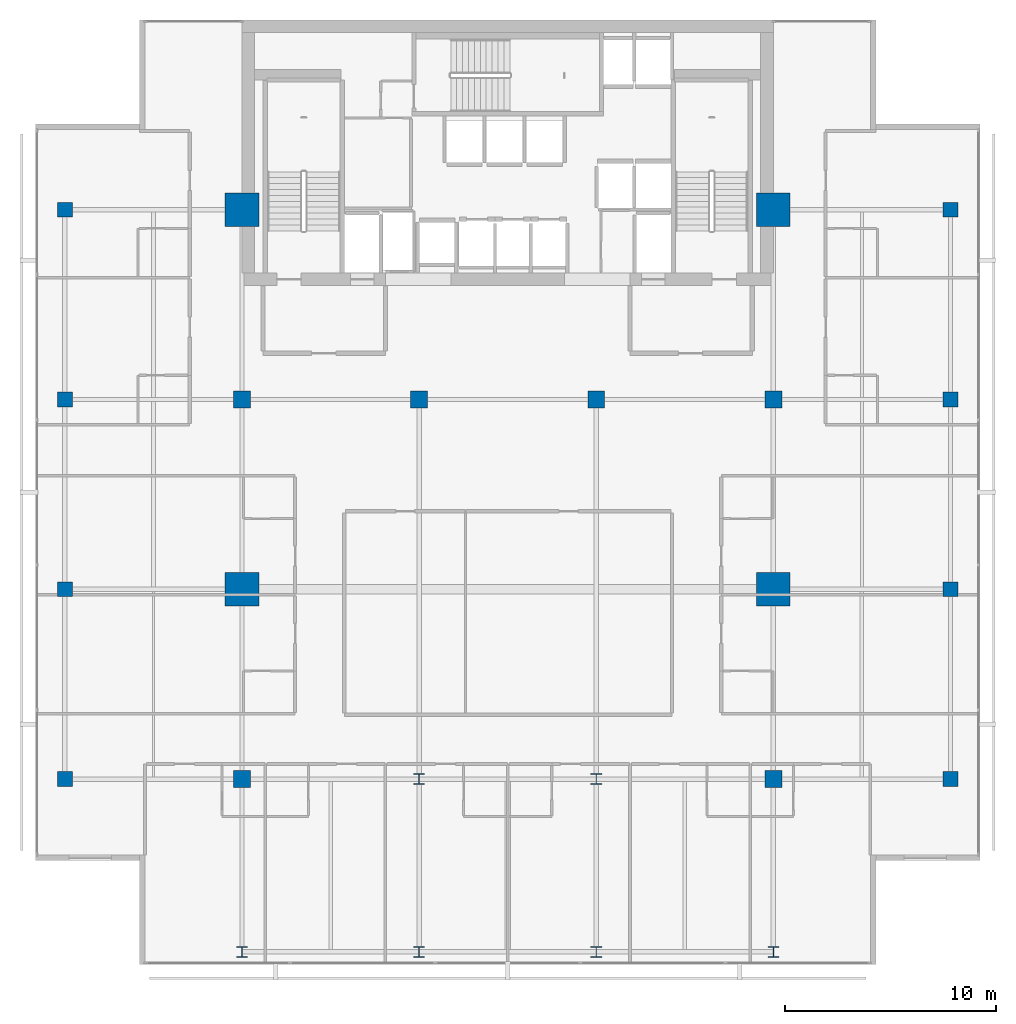
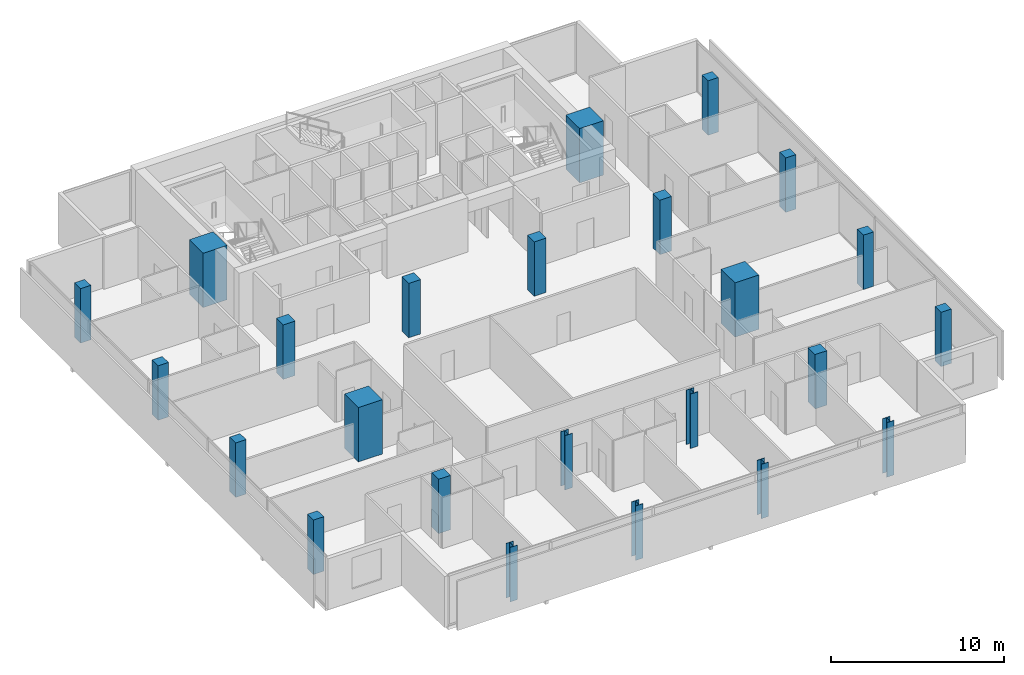
# One storey, part 1 of 25: 24 columns.
"""IFC4 building model written with IfcOpenShell, lengths in metres."""

from ifc_helpers import new_model, si_unit, direction, frame, origin, origin_2d, place, context, subcontext, project, spatial, rectangle, i_section, extrude, material, material_profile, profile_set, type_object, element, save


model = new_model("IFC4")

# Units and contexts
model_context = context("Model", 3, precision=1e-05, world=origin(), true_north=direction((0.0, 1.0)))
body_context = subcontext(model_context, "Body", "Model", "MODEL_VIEW")
ifc_project = project(units=[si_unit("LENGTHUNIT", "METRE"), si_unit("AREAUNIT", "SQUARE_METRE"), si_unit("VOLUMEUNIT", "CUBIC_METRE"), si_unit("PLANEANGLEUNIT", "RADIAN"), si_unit("MASSUNIT", "GRAM", prefix="KILO")], contexts=[model_context])

# Site, building, storey
site_placement = place(None, origin())
site = spatial("IfcSite", under=ifc_project, at=site_placement, CompositionType="ELEMENT")
building_placement = place(site_placement, origin())
building = spatial("IfcBuilding", under=site, at=building_placement, Name="Maruvema Waterfront Hotel and Observation Tower", CompositionType="ELEMENT")
storey_placement = place(building_placement, frame((0.0, 0.0, 239.39990234375)))
storey = spatial("IfcBuildingStorey", under=building, at=storey_placement, Name="L58", CompositionType="ELEMENT", Elevation=239.39990234375)

# Columns
ifc_material_1 = material(Name="Concrete C70/85", Category="concrete")
ifc_material_profile_1 = material_profile(ifc_material_1, rectangle(XDim=1.60009765625, YDim=1.60009765625, at=origin_2d()), Name="MC1600x1600")
ifc_profile_set_1 = profile_set([ifc_material_profile_1], Name="Concrete C70/85")
column_type_1 = type_object("IfcColumnType", Name="Continuous Mega-Column MC1600x1600", PredefinedType="COLUMN", material=ifc_profile_set_1)
for number, where, z_axis, x_axis, name in (
    (1, (25.199951171875, 27.0, 0.0), (0.0, 0.0, 1.0), (1.0, 0.0, 0.0), "L58 Continuous Mega-Column MC-01"),
    (2, (50.39990234375, 27.0, 0.0), (0.0, 0.0, 1.0), (1.0, 0.0, 0.0), "L58 Continuous Mega-Column MC-02"),
    (3, (25.199951171875, 45.0, 0.0), (0.0, 0.0, 1.0), (1.0, 0.0, 0.0), "L58 Continuous Mega-Column MC-03"),
    (4, (50.39990234375, 45.0, 0.0), (0.0, 0.0, 1.0), (1.0, 0.0, 0.0), "L58 Continuous Mega-Column MC-04"),
):
    element("IfcColumn", number, at=place(storey_placement, frame(where, z_axis=z_axis, x_axis=x_axis)), inside=storey, type_object=column_type_1, Name=name, PredefinedType="COLUMN", context=body_context, shape_type="SweptSolid", body=[
        extrude(rectangle(XDim=1.60009765625, YDim=1.60009765625, at=origin_2d()), origin(), (0.0, 0.0, 1.0), 3.85009765625),
    ])
ifc_material_2 = material(Name="Concrete C60/75", Category="concrete")
ifc_material_profile_2 = material_profile(ifc_material_2, rectangle(XDim=0.699951171875, YDim=0.699951171875, at=origin_2d()), Name="RC700x700")
ifc_profile_set_2 = profile_set([ifc_material_profile_2], Name="Concrete C60/75")
column_type_2 = type_object("IfcColumnType", Name="Reinforced Concrete Column RC700x700", PredefinedType="COLUMN", material=ifc_profile_set_2)
for number, where, z_axis, x_axis, name in (
    (5, (16.800048828125, 18.0, 0.0), (0.0, 0.0, 1.0), (1.0, 0.0, 0.0), "L58 Column C-3Y18"),
    (6, (58.800048828125, 18.0, 0.0), (0.0, 0.0, 1.0), (1.0, 0.0, 0.0), "L58 Column C-8Y18"),
    (7, (16.800048828125, 27.0, 0.0), (0.0, 0.0, 1.0), (1.0, 0.0, 0.0), "L58 Column C-3Y27"),
    (8, (58.800048828125, 27.0, 0.0), (0.0, 0.0, 1.0), (1.0, 0.0, 0.0), "L58 Column C-8Y27"),
    (9, (16.800048828125, 36.0, 0.0), (0.0, 0.0, 1.0), (1.0, 0.0, 0.0), "L58 Column C-3Y36"),
    (10, (58.800048828125, 36.0, 0.0), (0.0, 0.0, 1.0), (1.0, 0.0, 0.0), "L58 Column C-8Y36"),
    (11, (16.800048828125, 45.0, 0.0), (0.0, 0.0, 1.0), (1.0, 0.0, 0.0), "L58 Column C-3Y45"),
    (12, (58.800048828125, 45.0, 0.0), (0.0, 0.0, 1.0), (1.0, 0.0, 0.0), "L58 Column C-8Y45"),
):
    element("IfcColumn", number, at=place(storey_placement, frame(where, z_axis=z_axis, x_axis=x_axis)), inside=storey, type_object=column_type_2, Name=name, PredefinedType="COLUMN", context=body_context, shape_type="SweptSolid", body=[
        extrude(rectangle(XDim=0.699951171875, YDim=0.699951171875, at=origin_2d()), origin(), (0.0, 0.0, 1.0), 3.85009765625),
    ])
ifc_material_3 = material(Name="Concrete C60/75", Category="concrete")
ifc_material_profile_3 = material_profile(ifc_material_3, rectangle(XDim=0.800048828125, YDim=0.800048828125, at=origin_2d()), Name="RC800x800")
ifc_profile_set_3 = profile_set([ifc_material_profile_3], Name="Concrete C60/75")
column_type_3 = type_object("IfcColumnType", Name="Reinforced Concrete Column RC800x800", PredefinedType="COLUMN", material=ifc_profile_set_3)
for number, where, z_axis, x_axis, name in (
    (13, (25.199951171875, 36.0, 0.0), (0.0, 0.0, 1.0), (1.0, 0.0, 0.0), "L58 Column C-4E"),
    (14, (33.60009765625, 36.0, 0.0), (0.0, 0.0, 1.0), (1.0, 0.0, 0.0), "L58 Column C-5E"),
    (15, (42.0, 36.0, 0.0), (0.0, 0.0, 1.0), (1.0, 0.0, 0.0), "L58 Column C-6E"),
    (16, (50.39990234375, 36.0, 0.0), (0.0, 0.0, 1.0), (1.0, 0.0, 0.0), "L58 Column C-7E"),
    (17, (25.199951171875, 18.0, 0.0), (0.0, 0.0, 1.0), (1.0, 0.0, 0.0), "L58 Column C-4C"),
    (18, (50.39990234375, 18.0, 0.0), (0.0, 0.0, 1.0), (1.0, 0.0, 0.0), "L58 Column C-7C"),
):
    element("IfcColumn", number, at=place(storey_placement, frame(where, z_axis=z_axis, x_axis=x_axis)), inside=storey, type_object=column_type_3, Name=name, PredefinedType="COLUMN", context=body_context, shape_type="SweptSolid", body=[
        extrude(rectangle(XDim=0.800048828125, YDim=0.800048828125, at=origin_2d()), origin(), (0.0, 0.0, 1.0), 3.85009765625),
    ])
ifc_material_4 = material(Name="Steel ABNT NBR 7007 AR 415 (ASTM A572 Grade 50)", Category="steel")
ifc_material_profile_4 = material_profile(ifc_material_4, i_section(OverallWidth=0.5, OverallDepth=0.5, WebThickness=0.02197265625, FlangeThickness=0.031982421875, at=origin_2d()), Name="CVS500x223")
ifc_profile_set_4 = profile_set([ifc_material_profile_4], Name="Steel ABNT NBR 7007 AR 415 (ASTM A572 Grade 50)")
column_type_4 = type_object("IfcColumnType", Name="Structural Steel Column CVS500x223", PredefinedType="COLUMN", material=ifc_profile_set_4)
for number, where, z_axis, x_axis, name in (
    (19, (33.60009765625, 18.0, 0.0), (0.0, 0.0, 1.0), (1.0, 0.0, 0.0), "L58 Column C-5C"),
    (20, (42.0, 18.0, 0.0), (0.0, 0.0, 1.0), (1.0, 0.0, 0.0), "L58 Column C-6C"),
    (21, (25.199951171875, 9.800048828125, 0.0), (0.0, 0.0, 1.0), (1.0, 0.0, 0.0), "L58 Column C-Z3S4"),
    (22, (33.60009765625, 9.800048828125, 0.0), (0.0, 0.0, 1.0), (1.0, 0.0, 0.0), "L58 Column C-Z3S5"),
    (23, (42.0, 9.800048828125, 0.0), (0.0, 0.0, 1.0), (1.0, 0.0, 0.0), "L58 Column C-Z3S6"),
    (24, (50.39990234375, 9.800048828125, 0.0), (0.0, 0.0, 1.0), (1.0, 0.0, 0.0), "L58 Column C-Z3S7"),
):
    element("IfcColumn", number, at=place(storey_placement, frame(where, z_axis=z_axis, x_axis=x_axis)), inside=storey, type_object=column_type_4, Name=name, PredefinedType="COLUMN", context=body_context, shape_type="SweptSolid", body=[
        extrude(i_section(OverallWidth=0.5, OverallDepth=0.5, WebThickness=0.02197265625, FlangeThickness=0.031982421875, at=origin_2d()), origin(), (0.0, 0.0, 1.0), 3.85009765625),
    ])

save(model, "model.ifc")
